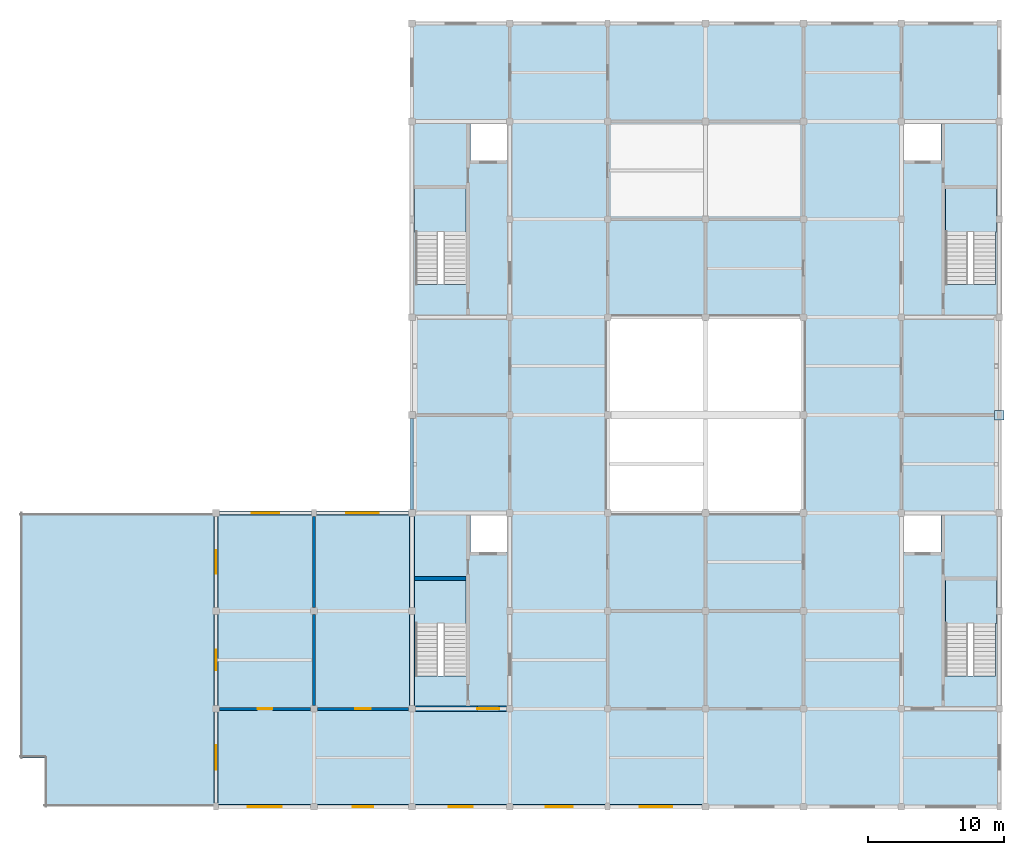
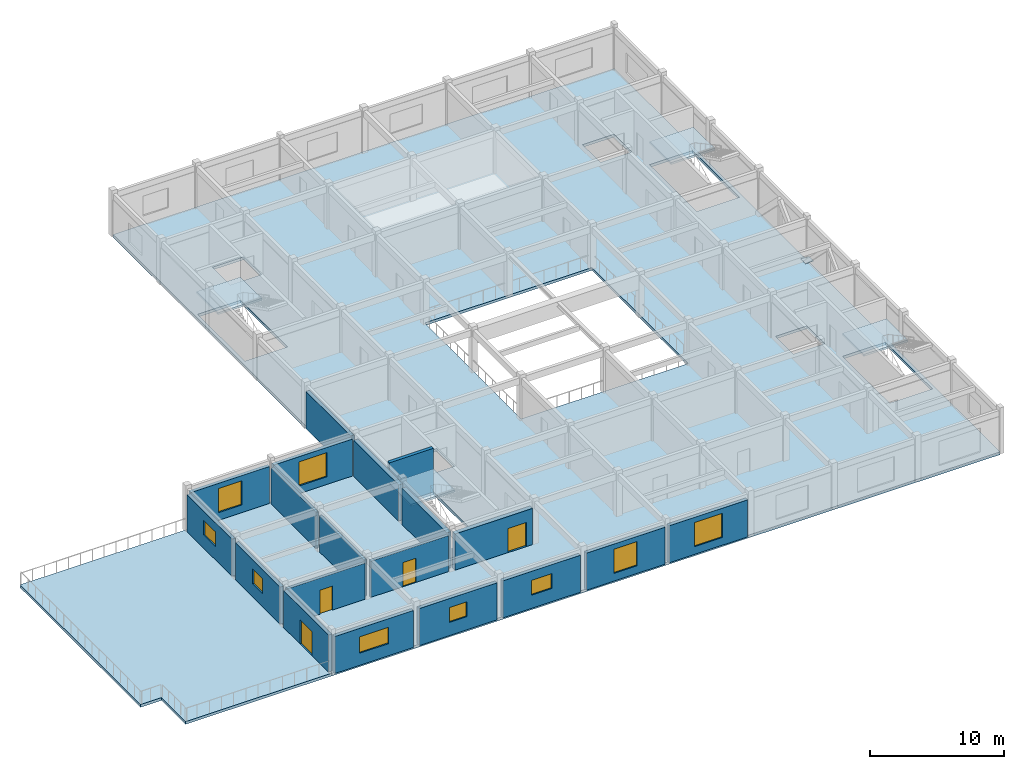
# One storey, part 3 of 7: 19 walls, 9 windows, 6 slabs, 4 doors, 1 plate, 13 openings, 4 elements without a shape of their own.
"""IFC4 building model written with IfcOpenShell, lengths in metres."""

from ifc_helpers import new_model, si_unit, direction, frame, frame_2d, origin, origin_2d, place, context, subcontext, project, spatial, polyline, rectangle, outline, extrude, material, layer, layer_set, type_object, element, fill, aggregate, save


model = new_model("IFC4")

# Units and contexts
model_context = context("Model", 3, precision=1e-05, world=origin(), true_north=direction((0.0, 1.0)))
body_context = subcontext(model_context, "Body", "Model", "MODEL_VIEW")
ifc_project = project(units=[si_unit("LENGTHUNIT", "METRE"), si_unit("AREAUNIT", "SQUARE_METRE"), si_unit("VOLUMEUNIT", "CUBIC_METRE"), si_unit("PLANEANGLEUNIT", "RADIAN"), si_unit("MASSUNIT", "GRAM", prefix="KILO")], contexts=[model_context])

# Site, building, storey
site_placement = place(None, origin())
site = spatial("IfcSite", under=ifc_project, at=site_placement, CompositionType="ELEMENT")
building_placement = place(site_placement, origin())
building = spatial("IfcBuilding", under=site, at=building_placement, Name="Cendaluz Park School", CompositionType="ELEMENT")
storey_placement = place(building_placement, frame((0.0, 0.0, 46.800048828125)))
storey = spatial("IfcBuildingStorey", under=building, at=storey_placement, Name="L11", CompositionType="ELEMENT", Elevation=46.800048828125)

# Plate
ifc_material_1 = material(Name="Steel S355", Category="steel")
ifc_layer_1 = layer(ifc_material_1, 0.030029296875)
ifc_layer_set_1 = layer_set([ifc_layer_1], Name="Steel S355")
plate_type = type_object("IfcPlateType", Name="GP-02", PredefinedType="SHEET", material=ifc_layer_set_1)
plate_placement = place(storey_placement, frame((108.0, 36.0, 0.0), z_axis=(0.0, 0.0, 1.0), x_axis=(1.0, 0.0, 0.0)))
element("IfcPlate", 1, at=plate_placement, inside=storey, type_object=plate_type, Name="GP-L11-BF01", PredefinedType="SHEET", context=body_context, shape_type="SweptSolid", body=[
    extrude(rectangle(XDim=0.699951171875, YDim=0.699951171875, at=origin_2d()), origin(), (0.0, 0.0, 1.0), 0.030029296875),
])

# Slab
ifc_material_2 = material(Name="Concrete C40/50", Category="concrete")
ifc_layer_2 = layer(ifc_material_2, 0.25)
ifc_layer_set_2 = layer_set([ifc_layer_2], Name="Concrete C40/50")
slab_type_1 = type_object("IfcSlabType", Name="SL-FL-250", PredefinedType="FLOOR", material=ifc_layer_set_2)
slab_1_placement = place(storey_placement, frame((0.0, 0.0, -0.25)))
element("IfcSlab", 2, at=slab_1_placement, inside=storey, type_object=slab_type_1, Name="SL-L11-01", PredefinedType="FLOOR", context=body_context, shape_type="SweptSolid", body=[
    extrude(outline(polyline([(108.0, 64.800048828125), (108.0, 7.199951171875), (50.39990234375, 7.199951171875), (50.39990234375, 28.800048828125), (64.800048828125, 28.800048828125), (64.800048828125, 64.800048828125), (108.0, 64.800048828125)]), holes=[polyline([(79.199951171875, 28.800048828125), (93.60009765625, 28.800048828125), (93.60009765625, 43.199951171875), (79.199951171875, 43.199951171875), (79.199951171875, 28.800048828125)]), polyline([(68.77001953125, 16.820068359375), (68.77001953125, 23.840087890625), (65.080078125, 23.840087890625), (65.080078125, 16.820068359375), (68.77001953125, 16.820068359375)]), polyline([(69.10009765625, 25.93994140625), (71.800048828125, 25.93994140625), (71.800048828125, 28.60009765625), (69.10009765625, 28.60009765625), (69.10009765625, 25.93994140625)]), polyline([(104.030029296875, 23.840087890625), (104.030029296875, 16.820068359375), (107.719970703125, 16.820068359375), (107.719970703125, 23.840087890625), (104.030029296875, 23.840087890625)]), polyline([(103.699951171875, 28.60009765625), (101.0, 28.60009765625), (101.0, 25.93994140625), (103.699951171875, 25.93994140625), (103.699951171875, 28.60009765625)]), polyline([(68.77001953125, 45.6201171875), (68.77001953125, 52.639892578125), (65.080078125, 52.639892578125), (65.080078125, 45.6201171875), (68.77001953125, 45.6201171875)]), polyline([(69.10009765625, 54.739990234375), (71.800048828125, 54.739990234375), (71.800048828125, 57.39990234375), (69.10009765625, 57.39990234375), (69.10009765625, 54.739990234375)]), polyline([(104.030029296875, 52.639892578125), (104.030029296875, 45.6201171875), (107.719970703125, 45.6201171875), (107.719970703125, 52.639892578125), (104.030029296875, 52.639892578125)]), polyline([(103.699951171875, 57.39990234375), (101.0, 57.39990234375), (101.0, 54.739990234375), (103.699951171875, 54.739990234375), (103.699951171875, 57.39990234375)])]), origin(), (0.0, 0.0, 1.0), 0.25),
])

# Stair, slab
ifc_material_3 = material(Name="Cross-laminated timber CLT C24", Category="wood")
stair_type = type_object("IfcStairType", Name="ST-420-165", PredefinedType="HALF_TURN_STAIR", material=ifc_material_3)
stair_1_placement = place(storey_placement, origin())
stair_1 = element("IfcStair", 3, at=stair_1_placement, inside=storey, type_object=stair_type, Name="ST-L11-C1", PredefinedType="HALF_TURN_STAIR")
ifc_layer_3 = layer(ifc_material_3, 0.179931640625)
ifc_layer_set_3 = layer_set([ifc_layer_3], Name="Cross-laminated timber CLT C24")
slab_type_2 = type_object("IfcSlabType", Name="SL-LD-180", PredefinedType="LANDING", material=ifc_layer_set_3)
slab_2_placement = place(storey_placement, frame((0.0, 0.0, 1.919921875)))
slab_2 = element("IfcSlab", 4, at=slab_2_placement, type_object=slab_type_2, Name="SL-LD-L11-C1", PredefinedType="LANDING", context=body_context, shape_type="SweptSolid", body=[
    extrude(outline(polyline([(64.989990234375, 20.659912109375), (68.77001953125, 20.659912109375), (68.77001953125, 23.860107421875), (64.989990234375, 23.860107421875), (64.989990234375, 20.659912109375)])), origin(), (0.0, 0.0, 1.0), 0.179931640625),
])
aggregate(stair_1, [slab_2])

stair_2_placement = place(storey_placement, origin())
stair_2 = element("IfcStair", 5, at=stair_2_placement, inside=storey, type_object=stair_type, Name="ST-L11-C2", PredefinedType="HALF_TURN_STAIR")
slab_3_placement = place(storey_placement, frame((0.0, 0.0, 1.919921875)))
slab_3 = element("IfcSlab", 6, at=slab_3_placement, type_object=slab_type_2, Name="SL-LD-L11-C2", PredefinedType="LANDING", context=body_context, shape_type="SweptSolid", body=[
    extrude(outline(polyline([(104.030029296875, 20.659912109375), (107.81005859375, 20.659912109375), (107.81005859375, 23.860107421875), (104.030029296875, 23.860107421875), (104.030029296875, 20.659912109375)])), origin(), (0.0, 0.0, 1.0), 0.179931640625),
])
aggregate(stair_2, [slab_3])

stair_3_placement = place(storey_placement, origin())
stair_3 = element("IfcStair", 7, at=stair_3_placement, inside=storey, type_object=stair_type, Name="ST-L11-C3", PredefinedType="HALF_TURN_STAIR")
slab_4_placement = place(storey_placement, frame((0.0, 0.0, 1.919921875)))
slab_4 = element("IfcSlab", 8, at=slab_4_placement, type_object=slab_type_2, Name="SL-LD-L11-C3", PredefinedType="LANDING", context=body_context, shape_type="SweptSolid", body=[
    extrude(outline(polyline([(64.989990234375, 49.4599609375), (68.77001953125, 49.4599609375), (68.77001953125, 52.659912109375), (64.989990234375, 52.659912109375), (64.989990234375, 49.4599609375)])), origin(), (0.0, 0.0, 1.0), 0.179931640625),
])
aggregate(stair_3, [slab_4])

stair_4_placement = place(storey_placement, origin())
stair_4 = element("IfcStair", 9, at=stair_4_placement, inside=storey, type_object=stair_type, Name="ST-L11-C4", PredefinedType="HALF_TURN_STAIR")
slab_5_placement = place(storey_placement, frame((0.0, 0.0, 1.919921875)))
slab_5 = element("IfcSlab", 10, at=slab_5_placement, type_object=slab_type_2, Name="SL-LD-L11-C4", PredefinedType="LANDING", context=body_context, shape_type="SweptSolid", body=[
    extrude(outline(polyline([(104.030029296875, 49.4599609375), (107.81005859375, 49.4599609375), (107.81005859375, 52.659912109375), (104.030029296875, 52.659912109375), (104.030029296875, 49.4599609375)])), origin(), (0.0, 0.0, 1.0), 0.179931640625),
])
aggregate(stair_4, [slab_5])

# Slab
ifc_layer_4 = layer(ifc_material_3, 0.25)
ifc_layer_set_4 = layer_set([ifc_layer_4], Name="Cross-laminated timber CLT C24")
slab_type_3 = type_object("IfcSlabType", Name="SL-PD-250", PredefinedType="FLOOR", material=ifc_layer_set_4)
slab_6_placement = place(storey_placement, frame((0.0, 0.0, -0.25)))
element("IfcSlab", 11, at=slab_6_placement, inside=storey, type_object=slab_type_3, Name="Play Deck Slab PD-L11-W", PredefinedType="FLOOR", context=body_context, shape_type="SweptSolid", body=[
    extrude(outline(polyline([(36.0, 28.800048828125), (50.39990234375, 28.800048828125), (50.39990234375, 7.199951171875), (37.800048828125, 7.199951171875), (37.800048828125, 10.800048828125), (36.0, 10.800048828125), (36.0, 28.800048828125)])), origin(), (0.0, 0.0, 1.0), 0.25),
])

# Wall, opening, window
ifc_layer_5 = layer(ifc_material_3, 0.300048828125)
ifc_layer_set_5 = layer_set([ifc_layer_5], Name="Cross-laminated timber CLT C24")
wall_type_1 = type_object("IfcWallType", Name="W-EX30", PredefinedType="SOLIDWALL", material=ifc_layer_set_5)
wall_1_placement = place(storey_placement, frame((50.580078125, 7.199951171875, 0.0), z_axis=(0.0, 0.0, 1.0), x_axis=(1.0, 0.0, 0.0)))
wall_1 = element("IfcWall", 12, at=wall_1_placement, inside=storey, type_object=wall_type_1, Name="WL-FL-AA0", PredefinedType="SOLIDWALL", context=body_context, shape_type="SweptSolid", body=[
    extrude(rectangle(XDim=6.77001953125, YDim=0.300048828125, at=frame_2d((3.385009765625, 0.0))), origin(), (0.0, 0.0, 1.0), 3.369873046875),
])
opening_1_placement = place(wall_1_placement, frame((2.135009765625, 0.0, 1.10009765625)))
opening_1 = element("IfcOpeningElement", 13, at=opening_1_placement, cuts=wall_1, Name="Opening WN-19", PredefinedType="OPENING", context=body_context, shape_type="SweptSolid", body=[
    extrude(rectangle(XDim=2.5, YDim=1.5, at=frame_2d((1.25, 0.75))), frame((0.0, 0.162109375, 0.0), z_axis=(0.0, -1.0, 0.0), x_axis=(1.0, 0.0, 0.0)), (0.0, 0.0, 1.0), 0.323974609375),
])
ifc_material_4 = material(Name="Tempered Low-E Double Glazing", Category="glass")
window_type_1 = type_object("IfcWindowType", Name="WN-19", PartitioningType="SINGLE_PANEL", PredefinedType="WINDOW", material=ifc_material_4)
window_1_placement = place(opening_1_placement, origin())
window_1 = element("IfcWindow", 14, at=window_1_placement, inside=storey, type_object=window_type_1, Name="WN-L11-001", OverallHeight=1.5, OverallWidth=2.5, PartitioningType="SINGLE_PANEL", PredefinedType="WINDOW", context=body_context, shape_type="SweptSolid", body=[
    extrude(rectangle(XDim=2.5, YDim=1.5, at=frame_2d((1.25, 0.75))), frame((0.0, 0.030029296875, 0.0), z_axis=(0.0, -1.0, 0.0), x_axis=(1.0, 0.0, 0.0)), (0.0, 0.0, 1.0), 0.06005859375),
])
fill(opening_1, window_1)

# Wall, opening, door
wall_2_placement = place(storey_placement, frame((50.39990234375, 7.4599609375, 0.0), z_axis=(0.0, 0.0, 1.0), x_axis=(0.0, 1.0, 0.0)))
wall_2 = element("IfcWall", 15, at=wall_2_placement, inside=storey, type_object=wall_type_1, Name="WL-FL-AA1", PredefinedType="SOLIDWALL", context=body_context, shape_type="SweptSolid", body=[
    extrude(rectangle(XDim=6.68994140625, YDim=0.300048828125, at=frame_2d((3.344970703125, 0.0))), origin(), (0.0, 0.0, 1.0), 3.369873046875),
])
opening_2_placement = place(wall_2_placement, frame((2.445068359375, 0.0, 0.0)))
opening_2 = element("IfcOpeningElement", 16, at=opening_2_placement, cuts=wall_2, Name="Opening DPD-01", PredefinedType="OPENING", context=body_context, shape_type="SweptSolid", body=[
    extrude(rectangle(XDim=1.800048828125, YDim=2.199951171875, at=frame_2d((0.89990234375, 1.10009765625))), frame((0.0, 0.162109375, 0.0), z_axis=(0.0, -1.0, 0.0), x_axis=(1.0, 0.0, 0.0)), (0.0, 0.0, 1.0), 0.323974609375),
])
ifc_material_5 = material(Name="Architectural Bronze")
door_type_1 = type_object("IfcDoorType", Name="DPD-01", OperationType="DOUBLE_DOOR_SINGLE_SWING", PredefinedType="DOOR", material=ifc_material_5)
door_1_placement = place(opening_2_placement, origin())
door_1 = element("IfcDoor", 17, at=door_1_placement, inside=storey, type_object=door_type_1, Name="D-L11-001", OperationType="DOUBLE_DOOR_SINGLE_SWING", OverallHeight=2.199951171875, OverallWidth=1.800048828125, PredefinedType="DOOR", context=body_context, shape_type="SweptSolid", body=[
    extrude(rectangle(XDim=1.800048828125, YDim=2.199951171875, at=frame_2d((0.89990234375, 1.10009765625))), frame((0.0, 0.02490234375, 0.0), z_axis=(0.0, -1.0, 0.0), x_axis=(1.0, 0.0, 0.0)), (0.0, 0.0, 1.0), 0.050048828125),
])
fill(opening_2, door_1)

# Wall, opening, window
wall_3_placement = place(storey_placement, frame((50.39990234375, 14.64990234375, 0.0), z_axis=(0.0, 0.0, 1.0), x_axis=(0.0, 1.0, 0.0)))
wall_3 = element("IfcWall", 18, at=wall_3_placement, inside=storey, type_object=wall_type_1, Name="WL-FL-AA2", PredefinedType="SOLIDWALL", context=body_context, shape_type="SweptSolid", body=[
    extrude(rectangle(XDim=6.7001953125, YDim=0.300048828125, at=frame_2d((3.35009765625, 0.0))), origin(), (0.0, 0.0, 1.0), 3.369873046875),
])
opening_3_placement = place(wall_3_placement, frame((2.60009765625, 0.0, 1.199951171875)))
opening_3 = element("IfcOpeningElement", 19, at=opening_3_placement, cuts=wall_3, Name="Opening WN-20", PredefinedType="OPENING", context=body_context, shape_type="SweptSolid", body=[
    extrude(rectangle(XDim=1.5, YDim=1.35009765625, at=frame_2d((0.75, 0.675048828125))), frame((0.0, 0.162109375, 0.0), z_axis=(0.0, -1.0, 0.0), x_axis=(1.0, 0.0, 0.0)), (0.0, 0.0, 1.0), 0.323974609375),
])
window_type_2 = type_object("IfcWindowType", Name="WN-20", PartitioningType="SINGLE_PANEL", PredefinedType="WINDOW", material=ifc_material_4)
window_2_placement = place(opening_3_placement, origin())
window_2 = element("IfcWindow", 20, at=window_2_placement, inside=storey, type_object=window_type_2, Name="WN-L11-002", OverallHeight=1.35009765625, OverallWidth=1.5, PartitioningType="SINGLE_PANEL", PredefinedType="WINDOW", context=body_context, shape_type="SweptSolid", body=[
    extrude(rectangle(XDim=1.5, YDim=1.35009765625, at=frame_2d((0.75, 0.675048828125))), frame((0.0, 0.030029296875, 0.0), z_axis=(0.0, -1.0, 0.0), x_axis=(1.0, 0.0, 0.0)), (0.0, 0.0, 1.0), 0.06005859375),
])
fill(opening_3, window_2)

wall_4_placement = place(storey_placement, frame((50.64990234375, 28.800048828125, 0.0), z_axis=(0.0, 0.0, 1.0), x_axis=(1.0, 0.0, 0.0)))
wall_4 = element("IfcWall", 21, at=wall_4_placement, inside=storey, type_object=wall_type_1, Name="WL-FL-AA3", PredefinedType="SOLIDWALL", context=body_context, shape_type="SweptSolid", body=[
    extrude(rectangle(XDim=6.77001953125, YDim=0.300048828125, at=frame_2d((3.385009765625, 0.0))), origin(), (0.0, 0.0, 1.0), 3.369873046875),
])
opening_4_placement = place(wall_4_placement, frame((2.385009765625, 0.0, 0.699951171875)))
opening_4 = element("IfcOpeningElement", 22, at=opening_4_placement, cuts=wall_4, Name="Opening WN-22", PredefinedType="OPENING", context=body_context, shape_type="SweptSolid", body=[
    extrude(rectangle(XDim=2.0, YDim=2.199951171875, at=frame_2d((1.0, 1.10009765625))), frame((0.0, 0.162109375, 0.0), z_axis=(0.0, -1.0, 0.0), x_axis=(1.0, 0.0, 0.0)), (0.0, 0.0, 1.0), 0.323974609375),
])
window_type_3 = type_object("IfcWindowType", Name="WN-22", PartitioningType="SINGLE_PANEL", PredefinedType="WINDOW", material=ifc_material_4)
window_3_placement = place(opening_4_placement, origin())
window_3 = element("IfcWindow", 23, at=window_3_placement, inside=storey, type_object=window_type_3, Name="WN-L11-003", OverallHeight=2.199951171875, OverallWidth=2.0, PartitioningType="SINGLE_PANEL", PredefinedType="WINDOW", context=body_context, shape_type="SweptSolid", body=[
    extrude(rectangle(XDim=2.0, YDim=2.199951171875, at=frame_2d((1.0, 1.10009765625))), frame((0.0, 0.030029296875, 0.0), z_axis=(0.0, -1.0, 0.0), x_axis=(1.0, 0.0, 0.0)), (0.0, 0.0, 1.0), 0.06005859375),
])
fill(opening_4, window_3)

wall_5_placement = place(storey_placement, frame((50.39990234375, 21.85009765625, 0.0), z_axis=(0.0, 0.0, 1.0), x_axis=(0.0, 1.0, 0.0)))
wall_5 = element("IfcWall", 24, at=wall_5_placement, inside=storey, type_object=wall_type_1, Name="WL-FL-AA4", PredefinedType="SOLIDWALL", context=body_context, shape_type="SweptSolid", body=[
    extrude(rectangle(XDim=6.699951171875, YDim=0.300048828125, at=frame_2d((3.35009765625, 0.0))), origin(), (0.0, 0.0, 1.0), 3.369873046875),
])
opening_5_placement = place(wall_5_placement, frame((2.47509765625, 0.0, 1.199951171875)))
opening_5 = element("IfcOpeningElement", 25, at=opening_5_placement, cuts=wall_5, Name="Opening WN-21", PredefinedType="OPENING", context=body_context, shape_type="SweptSolid", body=[
    extrude(rectangle(XDim=1.75, YDim=1.35009765625, at=frame_2d((0.875, 0.675048828125))), frame((0.0, 0.162109375, 0.0), z_axis=(0.0, -1.0, 0.0), x_axis=(1.0, 0.0, 0.0)), (0.0, 0.0, 1.0), 0.323974609375),
])
window_type_4 = type_object("IfcWindowType", Name="WN-21", PartitioningType="SINGLE_PANEL", PredefinedType="WINDOW", material=ifc_material_4)
window_4_placement = place(opening_5_placement, origin())
window_4 = element("IfcWindow", 26, at=window_4_placement, inside=storey, type_object=window_type_4, Name="WN-L11-004", OverallHeight=1.35009765625, OverallWidth=1.75, PartitioningType="SINGLE_PANEL", PredefinedType="WINDOW", context=body_context, shape_type="SweptSolid", body=[
    extrude(rectangle(XDim=1.75, YDim=1.35009765625, at=frame_2d((0.875, 0.675048828125))), frame((0.0, 0.030029296875, 0.0), z_axis=(0.0, -1.0, 0.0), x_axis=(1.0, 0.0, 0.0)), (0.0, 0.0, 1.0), 0.06005859375),
])
fill(opening_5, window_4)

wall_6_placement = place(storey_placement, frame((57.85009765625, 7.199951171875, 0.0), z_axis=(0.0, 0.0, 1.0), x_axis=(1.0, 0.0, 0.0)))
wall_6 = element("IfcWall", 27, at=wall_6_placement, inside=storey, type_object=wall_type_1, Name="WL-FL-AA5", PredefinedType="SOLIDWALL", context=body_context, shape_type="SweptSolid", body=[
    extrude(rectangle(XDim=6.699951171875, YDim=0.300048828125, at=frame_2d((3.35009765625, 0.0))), origin(), (0.0, 0.0, 1.0), 3.369873046875),
])
opening_6_placement = place(wall_6_placement, frame((2.60009765625, 0.0, 1.199951171875)))
opening_6 = element("IfcOpeningElement", 28, at=opening_6_placement, cuts=wall_6, Name="Opening WN-20", PredefinedType="OPENING", context=body_context, shape_type="SweptSolid", body=[
    extrude(rectangle(XDim=1.5, YDim=1.35009765625, at=frame_2d((0.75, 0.675048828125))), frame((0.0, 0.162109375, 0.0), z_axis=(0.0, -1.0, 0.0), x_axis=(1.0, 0.0, 0.0)), (0.0, 0.0, 1.0), 0.323974609375),
])
window_5_placement = place(opening_6_placement, origin())
window_5 = element("IfcWindow", 29, at=window_5_placement, inside=storey, type_object=window_type_2, Name="WN-L11-005", OverallHeight=1.35009765625, OverallWidth=1.5, PartitioningType="SINGLE_PANEL", PredefinedType="WINDOW", context=body_context, shape_type="SweptSolid", body=[
    extrude(rectangle(XDim=1.5, YDim=1.35009765625, at=frame_2d((0.75, 0.675048828125))), frame((0.0, 0.030029296875, 0.0), z_axis=(0.0, -1.0, 0.0), x_axis=(1.0, 0.0, 0.0)), (0.0, 0.0, 1.0), 0.06005859375),
])
fill(opening_6, window_5)

wall_7_placement = place(storey_placement, frame((57.780029296875, 28.800048828125, 0.0), z_axis=(0.0, 0.0, 1.0), x_axis=(1.0, 0.0, 0.0)))
wall_7 = element("IfcWall", 30, at=wall_7_placement, inside=storey, type_object=wall_type_1, Name="WL-FL-AA6", PredefinedType="SOLIDWALL", context=body_context, shape_type="SweptSolid", body=[
    extrude(rectangle(XDim=6.77001953125, YDim=0.300048828125, at=frame_2d((3.385009765625, 0.0))), origin(), (0.0, 0.0, 1.0), 3.369873046875),
])
opening_7_placement = place(wall_7_placement, frame((2.18505859375, 0.0, 0.699951171875)))
opening_7 = element("IfcOpeningElement", 31, at=opening_7_placement, cuts=wall_7, Name="Opening WN-23", PredefinedType="OPENING", context=body_context, shape_type="SweptSolid", body=[
    extrude(rectangle(XDim=2.39990234375, YDim=2.199951171875, at=frame_2d((1.199951171875, 1.10009765625))), frame((0.0, 0.162109375, 0.0), z_axis=(0.0, -1.0, 0.0), x_axis=(1.0, 0.0, 0.0)), (0.0, 0.0, 1.0), 0.323974609375),
])
window_type_5 = type_object("IfcWindowType", Name="WN-23", PartitioningType="SINGLE_PANEL", PredefinedType="WINDOW", material=ifc_material_4)
window_6_placement = place(opening_7_placement, origin())
window_6 = element("IfcWindow", 32, at=window_6_placement, inside=storey, type_object=window_type_5, Name="WN-L11-006", OverallHeight=2.199951171875, OverallWidth=2.39990234375, PartitioningType="SINGLE_PANEL", PredefinedType="WINDOW", context=body_context, shape_type="SweptSolid", body=[
    extrude(rectangle(XDim=2.39990234375, YDim=2.199951171875, at=frame_2d((1.199951171875, 1.10009765625))), frame((0.0, 0.030029296875, 0.0), z_axis=(0.0, -1.0, 0.0), x_axis=(1.0, 0.0, 0.0)), (0.0, 0.0, 1.0), 0.06005859375),
])
fill(opening_7, window_6)

wall_8_placement = place(storey_placement, frame((65.050048828125, 7.199951171875, 0.0), z_axis=(0.0, 0.0, 1.0), x_axis=(1.0, 0.0, 0.0)))
wall_8 = element("IfcWall", 33, at=wall_8_placement, inside=storey, type_object=wall_type_1, Name="WL-FL-AA7", PredefinedType="SOLIDWALL", context=body_context, shape_type="SweptSolid", body=[
    extrude(rectangle(XDim=6.699951171875, YDim=0.300048828125, at=frame_2d((3.35009765625, 0.0))), origin(), (0.0, 0.0, 1.0), 3.369873046875),
])
opening_8_placement = place(wall_8_placement, frame((2.47509765625, 0.0, 1.199951171875)))
opening_8 = element("IfcOpeningElement", 34, at=opening_8_placement, cuts=wall_8, Name="Opening WN-21", PredefinedType="OPENING", context=body_context, shape_type="SweptSolid", body=[
    extrude(rectangle(XDim=1.75, YDim=1.35009765625, at=frame_2d((0.875, 0.675048828125))), frame((0.0, 0.162109375, 0.0), z_axis=(0.0, -1.0, 0.0), x_axis=(1.0, 0.0, 0.0)), (0.0, 0.0, 1.0), 0.323974609375),
])
window_7_placement = place(opening_8_placement, origin())
window_7 = element("IfcWindow", 35, at=window_7_placement, inside=storey, type_object=window_type_4, Name="WN-L11-007", OverallHeight=1.35009765625, OverallWidth=1.75, PartitioningType="SINGLE_PANEL", PredefinedType="WINDOW", context=body_context, shape_type="SweptSolid", body=[
    extrude(rectangle(XDim=1.75, YDim=1.35009765625, at=frame_2d((0.875, 0.675048828125))), frame((0.0, 0.030029296875, 0.0), z_axis=(0.0, -1.0, 0.0), x_axis=(1.0, 0.0, 0.0)), (0.0, 0.0, 1.0), 0.06005859375),
])
fill(opening_8, window_7)

# Wall
wall_9_placement = place(storey_placement, frame((64.800048828125, 29.050048828125, 0.0), z_axis=(0.0, 0.0, 1.0), x_axis=(0.0, 1.0, 0.0)))
element("IfcWall", 36, at=wall_9_placement, inside=storey, type_object=wall_type_1, Name="WL-FL-AA8", PredefinedType="SOLIDWALL", context=body_context, shape_type="SweptSolid", body=[
    extrude(rectangle(XDim=6.699951171875, YDim=0.300048828125, at=frame_2d((3.35009765625, 0.0))), origin(), (0.0, 0.0, 1.0), 3.369873046875),
])

# Wall, opening, window
wall_10_placement = place(storey_placement, frame((72.25, 7.199951171875, 0.0), z_axis=(0.0, 0.0, 1.0), x_axis=(1.0, 0.0, 0.0)))
wall_10 = element("IfcWall", 37, at=wall_10_placement, inside=storey, type_object=wall_type_1, Name="WL-FL-AB2", PredefinedType="SOLIDWALL", context=body_context, shape_type="SweptSolid", body=[
    extrude(rectangle(XDim=6.77001953125, YDim=0.300048828125, at=frame_2d((3.385009765625, 0.0))), origin(), (0.0, 0.0, 1.0), 3.369873046875),
])
opening_9_placement = place(wall_10_placement, frame((2.385009765625, 0.0, 0.699951171875)))
opening_9 = element("IfcOpeningElement", 38, at=opening_9_placement, cuts=wall_10, Name="Opening WN-22", PredefinedType="OPENING", context=body_context, shape_type="SweptSolid", body=[
    extrude(rectangle(XDim=2.0, YDim=2.199951171875, at=frame_2d((1.0, 1.10009765625))), frame((0.0, 0.162109375, 0.0), z_axis=(0.0, -1.0, 0.0), x_axis=(1.0, 0.0, 0.0)), (0.0, 0.0, 1.0), 0.323974609375),
])
window_8_placement = place(opening_9_placement, origin())
window_8 = element("IfcWindow", 39, at=window_8_placement, inside=storey, type_object=window_type_3, Name="WN-L11-010", OverallHeight=2.199951171875, OverallWidth=2.0, PartitioningType="SINGLE_PANEL", PredefinedType="WINDOW", context=body_context, shape_type="SweptSolid", body=[
    extrude(rectangle(XDim=2.0, YDim=2.199951171875, at=frame_2d((1.0, 1.10009765625))), frame((0.0, 0.030029296875, 0.0), z_axis=(0.0, -1.0, 0.0), x_axis=(1.0, 0.0, 0.0)), (0.0, 0.0, 1.0), 0.06005859375),
])
fill(opening_9, window_8)

wall_11_placement = place(storey_placement, frame((79.3798828125, 7.199951171875, 0.0), z_axis=(0.0, 0.0, 1.0), x_axis=(1.0, 0.0, 0.0)))
wall_11 = element("IfcWall", 40, at=wall_11_placement, inside=storey, type_object=wall_type_1, Name="WL-FL-AB4", PredefinedType="SOLIDWALL", context=body_context, shape_type="SweptSolid", body=[
    extrude(rectangle(XDim=6.77001953125, YDim=0.300048828125, at=frame_2d((3.385009765625, 0.0))), origin(), (0.0, 0.0, 1.0), 3.369873046875),
])
opening_10_placement = place(wall_11_placement, frame((2.18505859375, 0.0, 0.699951171875)))
opening_10 = element("IfcOpeningElement", 41, at=opening_10_placement, cuts=wall_11, Name="Opening WN-23", PredefinedType="OPENING", context=body_context, shape_type="SweptSolid", body=[
    extrude(rectangle(XDim=2.39990234375, YDim=2.199951171875, at=frame_2d((1.199951171875, 1.10009765625))), frame((0.0, 0.162109375, 0.0), z_axis=(0.0, -1.0, 0.0), x_axis=(1.0, 0.0, 0.0)), (0.0, 0.0, 1.0), 0.323974609375),
])
window_9_placement = place(opening_10_placement, origin())
window_9 = element("IfcWindow", 42, at=window_9_placement, inside=storey, type_object=window_type_5, Name="WN-L11-012", OverallHeight=2.199951171875, OverallWidth=2.39990234375, PartitioningType="SINGLE_PANEL", PredefinedType="WINDOW", context=body_context, shape_type="SweptSolid", body=[
    extrude(rectangle(XDim=2.39990234375, YDim=2.199951171875, at=frame_2d((1.199951171875, 1.10009765625))), frame((0.0, 0.030029296875, 0.0), z_axis=(0.0, -1.0, 0.0), x_axis=(1.0, 0.0, 0.0)), (0.0, 0.0, 1.0), 0.06005859375),
])
fill(opening_10, window_9)

# Wall
ifc_layer_6 = layer(ifc_material_2, 0.280029296875)
ifc_layer_set_6 = layer_set([ifc_layer_6], Name="Concrete C40/50")
wall_type_2 = type_object("IfcWallType", Name="W-FW28", PredefinedType="SHEAR", material=ifc_layer_set_6)
wall_12_placement = place(storey_placement, frame((65.0, 23.97998046875, 0.0), z_axis=(0.0, 0.0, 1.0), x_axis=(1.0, 0.0, 0.0)))
element("IfcWall", 43, at=wall_12_placement, inside=storey, type_object=wall_type_2, Name="WL-FL-BH3", PredefinedType="SHEAR", context=body_context, shape_type="SweptSolid", body=[
    extrude(rectangle(XDim=3.780029296875, YDim=0.280029296875, at=frame_2d((1.89013671875, 0.0))), origin(), (0.0, 0.0, 1.0), 3.969970703125),
])

# Wall, opening, door
ifc_material_6 = material(Name="Gypsum Plasterboard on Cold-Formed Stud", Category="gypsum")
ifc_layer_7 = layer(ifc_material_6, 0.219970703125)
ifc_layer_set_7 = layer_set([ifc_layer_7], Name="Gypsum Plasterboard on Cold-Formed Stud")
wall_type_3 = type_object("IfcWallType", Name="W-LB22", PredefinedType="PARTITIONING", material=ifc_layer_set_7)
wall_13_placement = place(storey_placement, frame((50.64990234375, 14.39990234375, 0.0), z_axis=(0.0, 0.0, 1.0), x_axis=(1.0, 0.0, 0.0)))
wall_13 = element("IfcWall", 44, at=wall_13_placement, inside=storey, type_object=wall_type_3, Name="WL-FL-BL0", PredefinedType="PARTITIONING", context=body_context, shape_type="SweptSolid", body=[
    extrude(rectangle(XDim=6.7001953125, YDim=0.219970703125, at=frame_2d((3.35009765625, 0.0))), origin(), (0.0, 0.0, 1.0), 3.2900390625),
])
opening_11_placement = place(wall_13_placement, frame((2.81005859375, 0.0, 0.0)))
opening_11 = element("IfcOpeningElement", 45, at=opening_11_placement, cuts=wall_13, Name="Opening DCL-05", PredefinedType="OPENING", context=body_context, shape_type="SweptSolid", body=[
    extrude(rectangle(XDim=1.080078125, YDim=2.179931640625, at=frame_2d((0.5400390625, 1.08984375))), frame((0.0, 0.1220703125, 0.0), z_axis=(0.0, -1.0, 0.0), x_axis=(1.0, 0.0, 0.0)), (0.0, 0.0, 1.0), 0.243896484375),
])
ifc_material_7 = material(Name="Solid Core Hardwood", Category="wood")
door_type_2 = type_object("IfcDoorType", Name="DCL-05", OperationType="NOTDEFINED", PredefinedType="DOOR", material=ifc_material_7)
door_2_placement = place(opening_11_placement, frame((1.080078125, 0.0, 0.0), z_axis=(0.0, 0.0, 1.0), x_axis=(-1.0, 0.0, 0.0)))
door_2 = element("IfcDoor", 46, at=door_2_placement, inside=storey, type_object=door_type_2, Name="D-L11-022", OperationType="SINGLE_SWING_RIGHT", OverallHeight=2.179931640625, OverallWidth=1.080078125, PredefinedType="DOOR", context=body_context, shape_type="SweptSolid", body=[
    extrude(rectangle(XDim=1.080078125, YDim=2.179931640625, at=frame_2d((0.5400390625, 1.08984375))), frame((0.0, 0.02490234375, 0.0), z_axis=(0.0, -1.0, 0.0), x_axis=(1.0, 0.0, 0.0)), (0.0, 0.0, 1.0), 0.050048828125),
])
fill(opening_11, door_2)

# Walls
wall_14_placement = place(storey_placement, frame((57.60009765625, 14.64990234375, 0.0), z_axis=(0.0, 0.0, 1.0), x_axis=(0.0, 1.0, 0.0)))
element("IfcWall", 47, at=wall_14_placement, inside=storey, type_object=wall_type_3, Name="WL-FL-BL1", PredefinedType="PARTITIONING", context=body_context, shape_type="SweptSolid", body=[
    extrude(rectangle(XDim=6.7001953125, YDim=0.219970703125, at=frame_2d((3.35009765625, 0.0))), origin(), (0.0, 0.0, 1.0), 3.2900390625),
])
wall_15_placement = place(storey_placement, frame((57.60009765625, 21.85009765625, 0.0), z_axis=(0.0, 0.0, 1.0), x_axis=(0.0, 1.0, 0.0)))
element("IfcWall", 48, at=wall_15_placement, inside=storey, type_object=wall_type_3, Name="WL-FL-BL2", PredefinedType="PARTITIONING", context=body_context, shape_type="SweptSolid", body=[
    extrude(rectangle(XDim=6.68994140625, YDim=0.219970703125, at=frame_2d((3.344970703125, 0.0))), origin(), (0.0, 0.0, 1.0), 3.2900390625),
])

# Wall, opening, door
wall_16_placement = place(storey_placement, frame((57.85009765625, 14.39990234375, 0.0), z_axis=(0.0, 0.0, 1.0), x_axis=(1.0, 0.0, 0.0)))
wall_16 = element("IfcWall", 49, at=wall_16_placement, inside=storey, type_object=wall_type_3, Name="WL-FL-BL3", PredefinedType="PARTITIONING", context=body_context, shape_type="SweptSolid", body=[
    extrude(rectangle(XDim=6.699951171875, YDim=0.219970703125, at=frame_2d((3.35009765625, 0.0))), origin(), (0.0, 0.0, 1.0), 3.2900390625),
])
opening_12_placement = place(wall_16_placement, frame((2.7900390625, 0.0, 0.0)))
opening_12 = element("IfcOpeningElement", 50, at=opening_12_placement, cuts=wall_16, Name="Opening DCL-06", PredefinedType="OPENING", context=body_context, shape_type="SweptSolid", body=[
    extrude(rectangle(XDim=1.1201171875, YDim=2.199951171875, at=frame_2d((0.56005859375, 1.10009765625))), frame((0.0, 0.1220703125, 0.0), z_axis=(0.0, -1.0, 0.0), x_axis=(1.0, 0.0, 0.0)), (0.0, 0.0, 1.0), 0.243896484375),
])
door_type_3 = type_object("IfcDoorType", Name="DCL-06", OperationType="NOTDEFINED", PredefinedType="DOOR", material=ifc_material_7)
door_3_placement = place(opening_12_placement, frame((1.1201171875, 0.0, 0.0), z_axis=(0.0, 0.0, 1.0), x_axis=(-1.0, 0.0, 0.0)))
door_3 = element("IfcDoor", 51, at=door_3_placement, inside=storey, type_object=door_type_3, Name="D-L11-023", OperationType="SINGLE_SWING_LEFT", OverallHeight=2.199951171875, OverallWidth=1.1201171875, PredefinedType="DOOR", context=body_context, shape_type="SweptSolid", body=[
    extrude(rectangle(XDim=1.1201171875, YDim=2.199951171875, at=frame_2d((0.56005859375, 1.10009765625))), frame((0.0, 0.02490234375, 0.0), z_axis=(0.0, -1.0, 0.0), x_axis=(1.0, 0.0, 0.0)), (0.0, 0.0, 1.0), 0.050048828125),
])
fill(opening_12, door_3)

# Walls
ifc_layer_8 = layer(ifc_material_2, 0.3798828125)
ifc_layer_set_8 = layer_set([ifc_layer_8], Name="Concrete C40/50")
wall_type_4 = type_object("IfcWallType", Name="W-SH38", PredefinedType="SHEAR", material=ifc_layer_set_8)
wall_17_placement = place(storey_placement, frame((64.800048828125, 14.64990234375, 0.0), z_axis=(0.0, 0.0, 1.0), x_axis=(0.0, 1.0, 0.0)))
element("IfcWall", 52, at=wall_17_placement, inside=storey, type_object=wall_type_4, Name="WL-FL-BG6", PredefinedType="SHEAR", context=body_context, shape_type="SweptSolid", body=[
    extrude(rectangle(XDim=6.7001953125, YDim=0.3798828125, at=frame_2d((3.35009765625, 0.0))), origin(), (0.0, 0.0, 1.0), 3.2900390625),
])
wall_18_placement = place(storey_placement, frame((64.800048828125, 21.85009765625, 0.0), z_axis=(0.0, 0.0, 1.0), x_axis=(0.0, 1.0, 0.0)))
element("IfcWall", 53, at=wall_18_placement, inside=storey, type_object=wall_type_4, Name="WL-FL-BG7", PredefinedType="SHEAR", context=body_context, shape_type="SweptSolid", body=[
    extrude(rectangle(XDim=6.699951171875, YDim=0.3798828125, at=frame_2d((3.35009765625, 0.0))), origin(), (0.0, 0.0, 1.0), 3.2900390625),
])

# Wall, opening, door
wall_19_placement = place(storey_placement, frame((65.050048828125, 14.39990234375, 0.0), z_axis=(0.0, 0.0, 1.0), x_axis=(1.0, 0.0, 0.0)))
wall_19 = element("IfcWall", 54, at=wall_19_placement, inside=storey, type_object=wall_type_4, Name="WL-FL-BH0", PredefinedType="SHEAR", context=body_context, shape_type="SweptSolid", body=[
    extrude(rectangle(XDim=6.699951171875, YDim=0.3798828125, at=frame_2d((3.35009765625, 0.0))), origin(), (0.0, 0.0, 1.0), 3.2900390625),
])
opening_13_placement = place(wall_19_placement, frame((4.570068359375, 0.0, 0.0)))
opening_13 = element("IfcOpeningElement", 55, at=opening_13_placement, cuts=wall_19, Name="Opening DLB-01", PredefinedType="OPENING", context=body_context, shape_type="SweptSolid", body=[
    extrude(rectangle(XDim=1.60009765625, YDim=2.199951171875, at=frame_2d((0.800048828125, 1.10009765625))), frame((0.0, 0.201904296875, 0.0), z_axis=(0.0, -1.0, 0.0), x_axis=(1.0, 0.0, 0.0)), (0.0, 0.0, 1.0), 0.40380859375),
])
door_type_4 = type_object("IfcDoorType", Name="DLB-01", OperationType="DOUBLE_DOOR_SINGLE_SWING", PredefinedType="DOOR", material=ifc_material_7)
door_4_placement = place(opening_13_placement, origin())
door_4 = element("IfcDoor", 56, at=door_4_placement, inside=storey, type_object=door_type_4, Name="D-L11-003", OperationType="DOUBLE_DOOR_SINGLE_SWING", OverallHeight=2.199951171875, OverallWidth=1.60009765625, PredefinedType="DOOR", context=body_context, shape_type="SweptSolid", body=[
    extrude(rectangle(XDim=1.60009765625, YDim=2.199951171875, at=frame_2d((0.800048828125, 1.10009765625))), frame((0.0, 0.02490234375, 0.0), z_axis=(0.0, -1.0, 0.0), x_axis=(1.0, 0.0, 0.0)), (0.0, 0.0, 1.0), 0.050048828125),
])
fill(opening_13, door_4)

save(model, "model.ifc")
